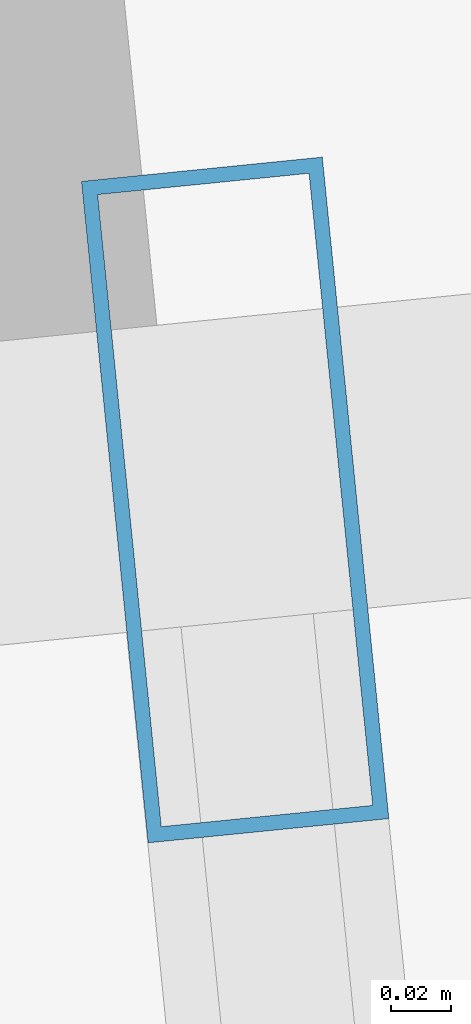
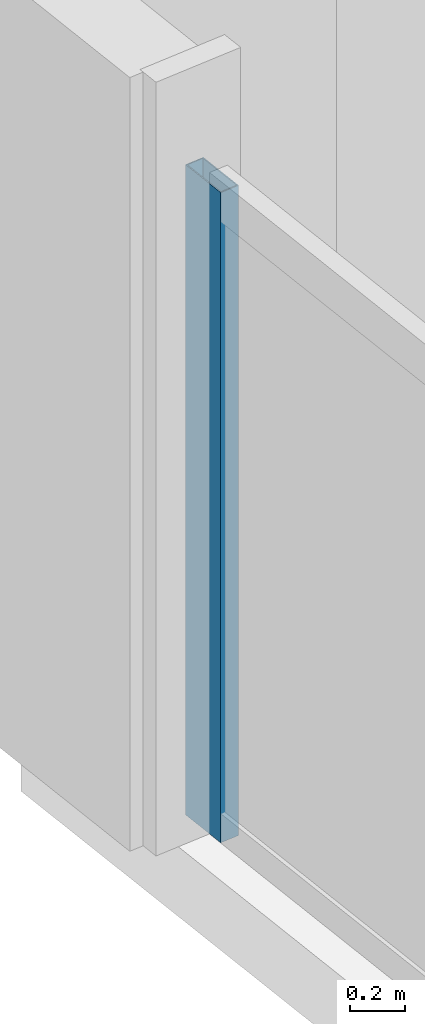
# One storey, part 16 of 33: 1 member, 1 element without a shape of its own.
"""IFC4 building model written with IfcOpenShell, lengths in metres."""

from ifc_helpers import new_model, si_unit, direction, frame, origin, origin_2d, place, context, subcontext, project, spatial, hollow_rectangle, extrude, material, material_profile, profile_set, type_object, element, aggregate, save


model = new_model("IFC4")

# Units and contexts
model_context = context("Model", 3, precision=1e-05, world=origin(), true_north=direction((0.0, 1.0)))
body_context = subcontext(model_context, "Body", "Model", "MODEL_VIEW")
ifc_project = project(units=[si_unit("LENGTHUNIT", "METRE"), si_unit("AREAUNIT", "SQUARE_METRE"), si_unit("VOLUMEUNIT", "CUBIC_METRE"), si_unit("PLANEANGLEUNIT", "RADIAN"), si_unit("MASSUNIT", "GRAM", prefix="KILO")], contexts=[model_context])

# Site, building, storey
site_placement = place(None, origin())
site = spatial("IfcSite", under=ifc_project, at=site_placement, CompositionType="ELEMENT")
building_placement = place(site_placement, origin())
building = spatial("IfcBuilding", under=site, at=building_placement, Name="Haldenkirk Collegiate Tower", CompositionType="ELEMENT")
storey_placement = place(building_placement, frame((0.0, 0.0, 47.699951171875)))
storey = spatial("IfcBuildingStorey", under=building, at=storey_placement, Name="L10", CompositionType="ELEMENT", Elevation=47.699951171875)

# Curtain wall, member
ifc_material = material(Name="Anodised architectural bronze aluminium", Category="aluminium")
curtain_wall_type = type_object("IfcCurtainWallType", Name="CW-SYS1-CONVEX-LOW", PredefinedType="USERDEFINED", material=ifc_material)
curtain_wall_placement = place(storey_placement, origin())
curtain_wall = element("IfcCurtainWall", 1, at=curtain_wall_placement, inside=storey, type_object=curtain_wall_type, Name="L10 Lower tower convex bronze-framed unitised curtain wall", ObjectType="UNITISED CURTAIN WALL", PredefinedType="USERDEFINED")
ifc_material_profile = material_profile(ifc_material, hollow_rectangle(XDim=0.080078125, YDim=0.219970703125, WallThickness=0.0048828125, at=origin_2d()), Name="CW-MUL-1A")
ifc_profile_set = profile_set([ifc_material_profile], Name="Anodised architectural bronze aluminium")
member_type = type_object("IfcMemberType", Name="CW-MUL-1A", PredefinedType="MULLION", material=ifc_profile_set)
member_placement = place(storey_placement, frame((7.22509765625, 44.06787109375, 0.0), z_axis=(0.0, 0.0, 1.0), x_axis=(-0.994968667969, -0.100186574745, 0.0)))
member = element("IfcMember", 2, at=member_placement, type_object=member_type, Name="CW-1A mullion 5", PredefinedType="MULLION", context=body_context, shape_type="SweptSolid", body=[
    extrude(hollow_rectangle(XDim=0.080078125, YDim=0.219970703125, WallThickness=0.0048828125, at=origin_2d()), origin(), (0.0, 0.0, 1.0), 2.89111328125),
])
aggregate(curtain_wall, [member])

save(model, "model.ifc")
